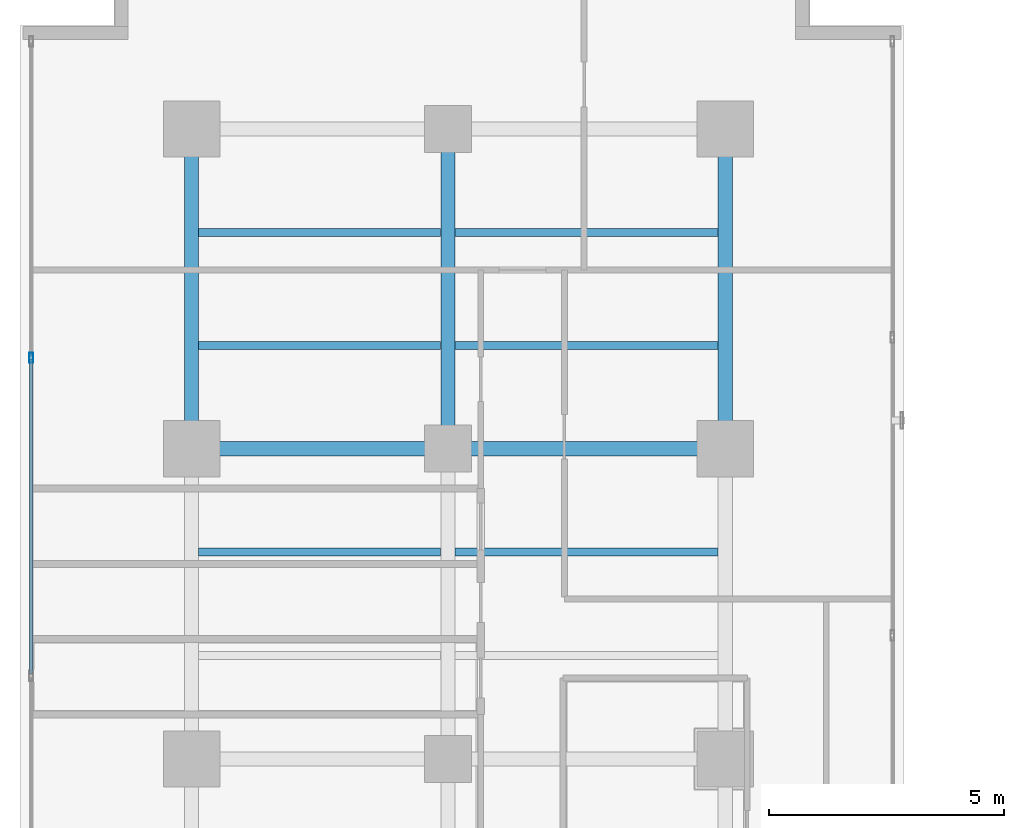
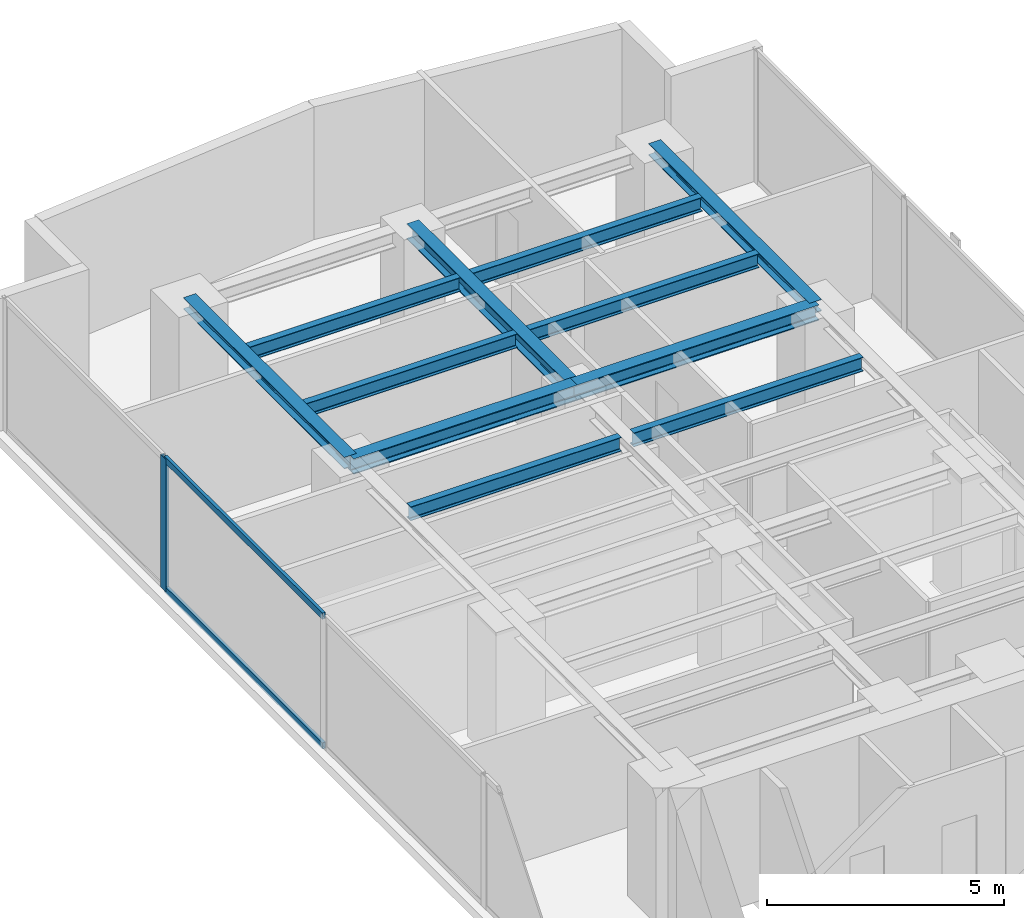
# One storey, part 15 of 26: 11 beams, 3 members, 1 element without a shape of its own.
"""IFC4 building model written with IfcOpenShell, lengths in metres."""

from ifc_helpers import new_model, si_unit, direction, frame, origin, origin_with_axes, origin_2d, place, context, subcontext, project, spatial, hollow_rectangle, i_section, extrude, source, transform, mapped, material, layer, layer_set, material_profile, profile_set, type_object, element, aggregate, save


model = new_model("IFC4")

# Units and contexts
model_context = context("Model", 3, precision=1e-05, world=origin(), true_north=direction((0.0, 1.0)))
body_context = subcontext(model_context, "Body", "Model", "MODEL_VIEW")
ifc_project = project(units=[si_unit("LENGTHUNIT", "METRE"), si_unit("AREAUNIT", "SQUARE_METRE"), si_unit("VOLUMEUNIT", "CUBIC_METRE"), si_unit("PLANEANGLEUNIT", "RADIAN"), si_unit("MASSUNIT", "GRAM", prefix="KILO")], contexts=[model_context])

# Site, building, storey
site_placement = place(None, origin())
site = spatial("IfcSite", under=ifc_project, at=site_placement, CompositionType="ELEMENT")
building_placement = place(site_placement, origin())
building = spatial("IfcBuilding", under=site, at=building_placement, Name="Kolvaren Waterfront Exchange", CompositionType="ELEMENT")
storey_placement = place(building_placement, frame((0.0, 0.0, 195.60009765625)))
storey = spatial("IfcBuildingStorey", under=building, at=storey_placement, Name="L50", CompositionType="ELEMENT", Elevation=195.60009765625)

# Beams
ifc_material_1 = material(Name="Steel S355", Category="steel")
ifc_material_profile_1 = material_profile(ifc_material_1, i_section(OverallWidth=0.300048828125, OverallDepth=0.300048828125, WebThickness=0.010986328125, FlangeThickness=0.01904296875, FilletRadius=0.027099609375, at=origin_2d()), Name="HEB300")
ifc_profile_set_1 = profile_set([ifc_material_profile_1], Name="Steel S355")
beam_type_1 = type_object("IfcBeamType", Name="STR-BM-HEB300", PredefinedType="SPANDREL", material=ifc_profile_set_1)
for number, where, z_axis, x_axis, name in (
    (1, (7.449951171875, 37.800048828125, 3.27001953125), (0.0, 1.0, 0.0), (-1.0, 0.0, 0.0), "L50 north-arm edge beam 3"),
    (2, (18.800048828125, 37.800048828125, 3.27001953125), (0.0, 1.0, 0.0), (-1.0, 0.0, 0.0), "L50 north-arm edge beam 3"),
):
    element("IfcBeam", number, at=place(storey_placement, frame(where, z_axis=z_axis, x_axis=x_axis)), inside=storey, type_object=beam_type_1, Name=name, PredefinedType="SPANDREL", context=body_context, shape_type="SweptSolid", body=[
        extrude(i_section(OverallWidth=0.300048828125, OverallDepth=0.300048828125, WebThickness=0.010986328125, FlangeThickness=0.01904296875, FilletRadius=0.027099609375, at=origin_2d()), origin(), (0.0, 0.0, 1.0), 6.800048828125),
    ])
ifc_material_profile_2 = material_profile(ifc_material_1, i_section(OverallWidth=0.300048828125, OverallDepth=0.39990234375, WebThickness=0.013427734375, FlangeThickness=0.02392578125, FilletRadius=0.027099609375, at=origin_2d()), Name="HEB400")
ifc_profile_set_2 = profile_set([ifc_material_profile_2], Name="Steel S355")
beam_type_2 = type_object("IfcBeamType", Name="STR-BM-HEB400", PredefinedType="BEAM", material=ifc_profile_set_2)
beam_1_placement = place(storey_placement, frame((7.449951171875, 37.800048828125, 3.219970703125), z_axis=(1.0, 0.0, 0.0), x_axis=(0.0, 1.0, 0.0)))
element("IfcBeam", 3, at=beam_1_placement, inside=storey, type_object=beam_type_2, Name="L50 north-arm girder 3A", PredefinedType="BEAM", context=body_context, shape_type="SweptSolid", body=[
    extrude(i_section(OverallWidth=0.300048828125, OverallDepth=0.39990234375, WebThickness=0.013427734375, FlangeThickness=0.02392578125, FilletRadius=0.027099609375, at=origin_2d()), origin(), (0.0, 0.0, 1.0), 5.449951171875),
])
beam_2_placement = place(storey_placement, frame((12.89990234375, 37.800048828125, 3.219970703125), z_axis=(1.0, 0.0, 0.0), x_axis=(0.0, 1.0, 0.0)))
element("IfcBeam", 4, at=beam_2_placement, inside=storey, type_object=beam_type_2, Name="L50 north-arm girder 3B", PredefinedType="BEAM", context=body_context, shape_type="SweptSolid", body=[
    extrude(i_section(OverallWidth=0.300048828125, OverallDepth=0.39990234375, WebThickness=0.013427734375, FlangeThickness=0.02392578125, FilletRadius=0.027099609375, at=origin_2d()), origin(), (0.0, 0.0, 1.0), 5.900146484375),
])
beam_3_placement = place(storey_placement, frame((12.89990234375, 37.800048828125, 3.219970703125), z_axis=(0.0, 1.0, 0.0), x_axis=(-1.0, 0.0, 0.0)))
element("IfcBeam", 5, at=beam_3_placement, inside=storey, type_object=beam_type_2, Name="L50 north-arm edge beam 3", PredefinedType="BEAM", context=body_context, shape_type="SweptSolid", body=[
    extrude(i_section(OverallWidth=0.300048828125, OverallDepth=0.39990234375, WebThickness=0.013427734375, FlangeThickness=0.02392578125, FilletRadius=0.027099609375, at=origin_2d()), origin(), (0.0, 0.0, 1.0), 6.800048828125),
])
ifc_material_profile_3 = material_profile(ifc_material_1, i_section(OverallWidth=0.169921875, OverallDepth=0.360107421875, WebThickness=0.008056640625, FlangeThickness=0.0126953125, FilletRadius=0.01806640625, at=origin_2d()), Name="IPE360")
ifc_profile_set_3 = profile_set([ifc_material_profile_3], Name="Steel S355")
beam_type_3 = type_object("IfcBeamType", Name="STR-BM-IPE360", PredefinedType="JOIST", material=ifc_profile_set_3)
beam_4_placement = place(storey_placement, frame((7.60205078125, 35.60009765625, 3.239990234375), z_axis=(1.0, 0.0, 0.0), x_axis=(0.0, 1.0, 0.0)))
element("IfcBeam", 6, at=beam_4_placement, inside=storey, type_object=beam_type_3, Name="L50 north-arm composite joist 4A", PredefinedType="JOIST", context=body_context, shape_type="SweptSolid", body=[
    extrude(i_section(OverallWidth=0.169921875, OverallDepth=0.360107421875, WebThickness=0.008056640625, FlangeThickness=0.0126953125, FilletRadius=0.01806640625, at=origin_2d()), origin(), (0.0, 0.0, 1.0), 5.14599609375),
])
beam_5_placement = place(storey_placement, frame((13.052001953125, 35.60009765625, 3.239990234375), z_axis=(1.0, 0.0, 0.0), x_axis=(0.0, 1.0, 0.0)))
element("IfcBeam", 7, at=beam_5_placement, inside=storey, type_object=beam_type_3, Name="L50 north-arm composite joist 4B", PredefinedType="JOIST", context=body_context, shape_type="SweptSolid", body=[
    extrude(i_section(OverallWidth=0.169921875, OverallDepth=0.360107421875, WebThickness=0.008056640625, FlangeThickness=0.0126953125, FilletRadius=0.01806640625, at=origin_2d()), origin(), (0.0, 0.0, 1.0), 5.595947265625),
])
beam_6_placement = place(storey_placement, frame((7.60205078125, 40.0, 3.239990234375), z_axis=(1.0, 0.0, 0.0), x_axis=(0.0, 1.0, 0.0)))
element("IfcBeam", 8, at=beam_6_placement, inside=storey, type_object=beam_type_3, Name="L50 north-arm composite joist 5A", PredefinedType="JOIST", context=body_context, shape_type="SweptSolid", body=[
    extrude(i_section(OverallWidth=0.169921875, OverallDepth=0.360107421875, WebThickness=0.008056640625, FlangeThickness=0.0126953125, FilletRadius=0.01806640625, at=origin_2d()), origin(), (0.0, 0.0, 1.0), 5.14599609375),
])
beam_7_placement = place(storey_placement, frame((13.052001953125, 40.0, 3.239990234375), z_axis=(1.0, 0.0, 0.0), x_axis=(0.0, 1.0, 0.0)))
element("IfcBeam", 9, at=beam_7_placement, inside=storey, type_object=beam_type_3, Name="L50 north-arm composite joist 5B", PredefinedType="JOIST", context=body_context, shape_type="SweptSolid", body=[
    extrude(i_section(OverallWidth=0.169921875, OverallDepth=0.360107421875, WebThickness=0.008056640625, FlangeThickness=0.0126953125, FilletRadius=0.01806640625, at=origin_2d()), origin(), (0.0, 0.0, 1.0), 5.595947265625),
])
beam_8_placement = place(storey_placement, frame((7.60205078125, 42.39990234375, 3.239990234375), z_axis=(1.0, 0.0, 0.0), x_axis=(0.0, 1.0, 0.0)))
element("IfcBeam", 10, at=beam_8_placement, inside=storey, type_object=beam_type_3, Name="L50 north-arm composite joist 6A", PredefinedType="JOIST", context=body_context, shape_type="SweptSolid", body=[
    extrude(i_section(OverallWidth=0.169921875, OverallDepth=0.360107421875, WebThickness=0.008056640625, FlangeThickness=0.0126953125, FilletRadius=0.01806640625, at=origin_2d()), origin(), (0.0, 0.0, 1.0), 5.14599609375),
])
beam_9_placement = place(storey_placement, frame((13.052001953125, 42.39990234375, 3.239990234375), z_axis=(1.0, 0.0, 0.0), x_axis=(0.0, 1.0, 0.0)))
element("IfcBeam", 11, at=beam_9_placement, inside=storey, type_object=beam_type_3, Name="L50 north-arm composite joist 6B", PredefinedType="JOIST", context=body_context, shape_type="SweptSolid", body=[
    extrude(i_section(OverallWidth=0.169921875, OverallDepth=0.360107421875, WebThickness=0.008056640625, FlangeThickness=0.0126953125, FilletRadius=0.01806640625, at=origin_2d()), origin(), (0.0, 0.0, 1.0), 5.595947265625),
])

# Curtain wall, members
ifc_material_2 = material(Name="Anodised aluminium 6063-T6", Category="aluminium")
ifc_layer = layer(ifc_material_2, 0.219970703125, Name="Anodised aluminium 6063-T6")
ifc_layer_set = layer_set([ifc_layer], Name="Anodised aluminium 6063-T6")
curtain_wall_type = type_object("IfcCurtainWallType", Name="ARC-CW-SYS2", PredefinedType="USERDEFINED", material=ifc_layer_set)
curtain_wall_placement = place(storey_placement, origin())
curtain_wall = element("IfcCurtainWall", 12, at=curtain_wall_placement, inside=storey, type_object=curtain_wall_type, Name="L50 stick curtain wall CW2 (CW-L50-W)", ObjectType="STICK CURTAIN WALL", PredefinedType="USERDEFINED")
ifc_material_profile_4 = material_profile(ifc_material_2, hollow_rectangle(XDim=0.080078125, YDim=0.219970703125, WallThickness=0.0048828125, at=origin_2d()), Name="ALU-MUL-220x80x5")
ifc_profile_set_4 = profile_set([ifc_material_profile_4], Name="Anodised aluminium 6063-T6")
member_type_1 = type_object("IfcMemberType", Name="ARC-CWM-220", PredefinedType="MULLION", material=ifc_profile_set_4)
shared_shape_1 = source(origin_with_axes(), body_context, "Body", "SweptSolid", [
    extrude(hollow_rectangle(XDim=0.080078125, YDim=0.219970703125, WallThickness=0.0048828125, at=origin_2d()), origin(), (0.0, 0.0, 1.0), 3.419921875),
])
member_1_placement = place(storey_placement, frame((4.0400390625, 39.7333984375, 0.0), z_axis=(0.0, 0.0, 1.0), x_axis=(-1.0, 0.0, 0.0)))
member_1 = element("IfcMember", 13, at=member_1_placement, type_object=member_type_1, Name="CW2 mullion 6", PredefinedType="MULLION", context=body_context, shape_type="MappedRepresentation", body=[
    mapped(shared_shape_1, transform((0.0, 0.0, 0.0), x_axis=(1.0, 0.0, 0.0), y_axis=(0.0, 1.0, 0.0), z_axis=(0.0, 0.0, 1.0), scale=1.0)),
])
ifc_material_profile_5 = material_profile(ifc_material_2, hollow_rectangle(XDim=0.074951171875, YDim=0.159912109375, WallThickness=0.00439453125, at=origin_2d()), Name="ALU-TRN-160x75x4.5")
ifc_profile_set_5 = profile_set([ifc_material_profile_5], Name="Anodised aluminium 6063-T6")
member_type_2 = type_object("IfcMemberType", Name="ARC-CWT-160", PredefinedType="USERDEFINED", material=ifc_profile_set_5)
shared_shape_2 = source(origin_with_axes(), body_context, "Body", "SweptSolid", [
    extrude(hollow_rectangle(XDim=0.074951171875, YDim=0.159912109375, WallThickness=0.00439453125, at=origin_2d()), origin(), (0.0, 0.0, 1.0), 6.686767578125),
])
member_2_placement = place(storey_placement, frame((4.0400390625, 33.006591796875, 0.037353515625), z_axis=(0.0, 1.0, 0.0), x_axis=(-1.0, 0.0, 0.0)))
member_2 = element("IfcMember", 14, at=member_2_placement, type_object=member_type_2, Name="CW2 transom 5.1", ObjectType="TRANSOM", PredefinedType="USERDEFINED", context=body_context, shape_type="MappedRepresentation", body=[
    mapped(shared_shape_2, transform((0.0, 0.0, 0.0), x_axis=(1.0, 0.0, 0.0), y_axis=(0.0, 1.0, 0.0), z_axis=(0.0, 0.0, 1.0), scale=1.0)),
])
member_3_placement = place(storey_placement, frame((4.0400390625, 33.006591796875, 3.38232421875), z_axis=(0.0, 1.0, 0.0), x_axis=(-1.0, 0.0, 0.0)))
member_3 = element("IfcMember", 15, at=member_3_placement, type_object=member_type_2, Name="CW2 transom 5.2", ObjectType="TRANSOM", PredefinedType="USERDEFINED", context=body_context, shape_type="MappedRepresentation", body=[
    mapped(shared_shape_2, transform((0.0, 0.0, 0.0), x_axis=(1.0, 0.0, 0.0), y_axis=(0.0, 1.0, 0.0), z_axis=(0.0, 0.0, 1.0), scale=1.0)),
])
aggregate(curtain_wall, [member_1, member_2, member_3])

save(model, "model.ifc")
